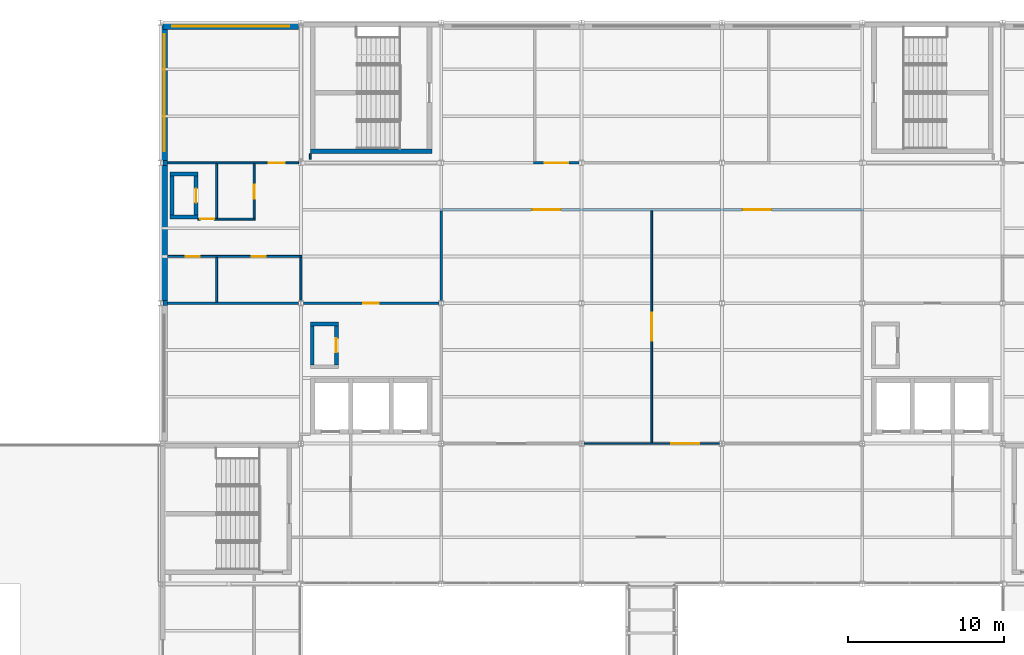
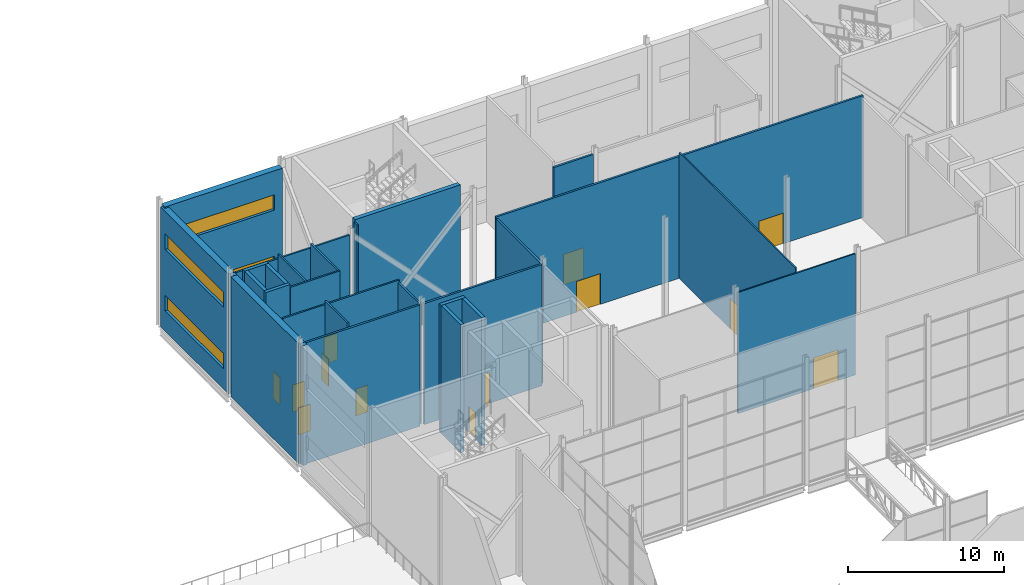
# One storey, part 90 of 111: 28 walls, 13 doors, 4 windows, 17 openings.
"""IFC4 building model written with IfcOpenShell, lengths in metres."""

from ifc_helpers import new_model, si_unit, direction, frame, frame_2d, origin, place, context, subcontext, project, spatial, rectangle, extrude, material, layer, layer_set, type_object, element, fill, save


model = new_model("IFC4")

# Units and contexts
model_context = context("Model", 3, precision=1e-05, world=origin(), true_north=direction((0.0, 1.0)))
body_context = subcontext(model_context, "Body", "Model", "MODEL_VIEW")
ifc_project = project(units=[si_unit("LENGTHUNIT", "METRE"), si_unit("AREAUNIT", "SQUARE_METRE"), si_unit("VOLUMEUNIT", "CUBIC_METRE"), si_unit("PLANEANGLEUNIT", "RADIAN"), si_unit("MASSUNIT", "GRAM", prefix="KILO")], contexts=[model_context])

# Site, building, storey
site_placement = place(None, origin())
site = spatial("IfcSite", under=ifc_project, at=site_placement, CompositionType="ELEMENT")
building_placement = place(site_placement, origin())
building = spatial("IfcBuilding", under=site, at=building_placement, Name="Shorebreak Coast Museum", CompositionType="ELEMENT")
storey_placement = place(building_placement, frame((0.0, 0.0, 16.0)))
storey = spatial("IfcBuildingStorey", under=building, at=storey_placement, Name="L03", CompositionType="ELEMENT", Elevation=16.0)

# Walls
ifc_material_1 = material(Name="Concrete N50 (50 MPa)", Category="concrete")
ifc_layer_1 = layer(ifc_material_1, 0.297607421875)
ifc_layer_set_1 = layer_set([ifc_layer_1], Name="Concrete N50 (50 MPa)")
wall_type_1 = type_object("IfcWallType", Name="Column closure panel 298", PredefinedType="SOLIDWALL", material=ifc_layer_set_1)
for number, where, z_axis, x_axis, name in (
    (1, (54.30126953125, 98.839111328125, 0.0), (0.0, 0.0, 1.0), (0.0, 1.0, 0.0), "Column closure panel L03 W 7M"),
    (2, (54.30126953125, 107.839111328125, 0.0), (0.0, 0.0, 1.0), (0.0, 1.0, 0.0), "Column closure panel L03 W 7N"),
):
    element("IfcWall", number, at=place(storey_placement, frame(where, z_axis=z_axis, x_axis=x_axis)), inside=storey, type_object=wall_type_1, Name=name, PredefinedType="SOLIDWALL", context=body_context, shape_type="SweptSolid", body=[
        extrude(rectangle(XDim=0.32177734375, YDim=0.297607421875, at=frame_2d((0.160888671875, 0.0))), origin(), (0.0, 0.0, 1.0), 9.37109375),
    ])
ifc_material_2 = material(Name="Concrete N50 (50 MPa)", Category="concrete")
ifc_layer_2 = layer(ifc_material_2, 0.449951171875)
ifc_layer_set_2 = layer_set([ifc_layer_2], Name="Concrete N50 (50 MPa)")
wall_type_2 = type_object("IfcWallType", Name="Deep-set precast panel 450", PredefinedType="SOLIDWALL", material=ifc_layer_set_2)
wall_1_placement = place(storey_placement, frame((54.22509765625, 99.160888671875, 0.0), z_axis=(0.0, 0.0, 1.0), x_axis=(0.0, 1.0, 0.0)))
element("IfcWall", 3, at=wall_1_placement, inside=storey, type_object=wall_type_2, Name="External wall L03 W 7M", PredefinedType="SOLIDWALL", context=body_context, shape_type="SweptSolid", body=[
    extrude(rectangle(XDim=8.67822265625, YDim=0.449951171875, at=frame_2d((4.339111328125, 0.0))), origin(), (0.0, 0.0, 1.0), 9.37109375),
])

# Wall, openings, windows
wall_2_placement = place(storey_placement, frame((54.155517578125, 116.77490234375, 0.0), z_axis=(0.0, 0.0, 1.0), x_axis=(1.0, 0.0, 0.0)))
wall_2 = element("IfcWall", 4, at=wall_2_placement, inside=storey, type_object=wall_type_2, Name="External wall L03 N 7P", PredefinedType="SOLIDWALL", context=body_context, shape_type="SweptSolid", body=[
    extrude(rectangle(XDim=8.677978515625, YDim=0.449951171875, at=frame_2d((4.3388671875, 0.0))), origin(), (0.0, 0.0, 1.0), 9.472900390625),
])
opening_1_placement = place(wall_2_placement, frame((0.594482421875, 0.0, 1.60009765625)))
opening_1 = element("IfcOpeningElement", 5, at=opening_1_placement, cuts=wall_2, Name="Opening WN3020", PredefinedType="OPENING", context=body_context, shape_type="SweptSolid", body=[
    extrude(rectangle(XDim=7.5, YDim=1.199951171875, at=frame_2d((3.75, 0.60009765625))), frame((0.0, 0.23486328125, 0.0), z_axis=(0.0, -1.0, 0.0), x_axis=(1.0, 0.0, 0.0)), (0.0, 0.0, 1.0), 0.469970703125),
])
opening_2_placement = place(wall_2_placement, frame((0.594482421875, 0.0, 6.39990234375)))
opening_2 = element("IfcOpeningElement", 6, at=opening_2_placement, cuts=wall_2, Name="Opening WN3021", PredefinedType="OPENING", context=body_context, shape_type="SweptSolid", body=[
    extrude(rectangle(XDim=7.5, YDim=1.199951171875, at=frame_2d((3.75, 0.60009765625))), frame((0.0, 0.23486328125, 0.0), z_axis=(0.0, -1.0, 0.0), x_axis=(1.0, 0.0, 0.0)), (0.0, 0.0, 1.0), 0.469970703125),
])
ifc_material_3 = material(Name="Aluminium", Category="aluminium")
window_type_1 = type_object("IfcWindowType", Name="Ribbon window 7500 x 1200", PartitioningType="SINGLE_PANEL", PredefinedType="WINDOW", material=ifc_material_3)
window_1_placement = place(opening_1_placement, origin())
window_1 = element("IfcWindow", 7, at=window_1_placement, inside=storey, type_object=window_type_1, Name="Window WN3020", OverallHeight=1.199951171875, OverallWidth=7.5, PartitioningType="SINGLE_PANEL", PredefinedType="WINDOW", context=body_context, shape_type="SweptSolid", body=[
    extrude(rectangle(XDim=7.5, YDim=1.199951171875, at=frame_2d((3.75, 0.60009765625))), frame((0.0, 0.030029296875, 0.0), z_axis=(0.0, -1.0, 0.0), x_axis=(1.0, 0.0, 0.0)), (0.0, 0.0, 1.0), 0.06005859375),
])
fill(opening_1, window_1)
ifc_material_4 = material(Name="Aluminium", Category="aluminium")
window_type_2 = type_object("IfcWindowType", Name="Upper ribbon window 7500 x 1200", PartitioningType="SINGLE_PANEL", PredefinedType="WINDOW", material=ifc_material_4)
window_2_placement = place(opening_2_placement, origin())
window_2 = element("IfcWindow", 8, at=window_2_placement, inside=storey, type_object=window_type_2, Name="Window WN3021", OverallHeight=1.199951171875, OverallWidth=7.5, PartitioningType="SINGLE_PANEL", PredefinedType="WINDOW", context=body_context, shape_type="SweptSolid", body=[
    extrude(rectangle(XDim=7.5, YDim=1.199951171875, at=frame_2d((3.75, 0.60009765625))), frame((0.0, 0.030029296875, 0.0), z_axis=(0.0, -1.0, 0.0), x_axis=(1.0, 0.0, 0.0)), (0.0, 0.0, 1.0), 0.06005859375),
])
fill(opening_2, window_2)

wall_3_placement = place(storey_placement, frame((54.22509765625, 108.160888671875, 0.0), z_axis=(0.0, 0.0, 1.0), x_axis=(0.0, 1.0, 0.0)))
wall_3 = element("IfcWall", 9, at=wall_3_placement, inside=storey, type_object=wall_type_2, Name="External wall L03 W 7N", PredefinedType="SOLIDWALL", context=body_context, shape_type="SweptSolid", body=[
    extrude(rectangle(XDim=8.675537109375, YDim=0.449951171875, at=frame_2d((4.337890625, 0.0))), origin(), (0.0, 0.0, 1.0), 9.37109375),
])
opening_3_placement = place(wall_3_placement, frame((0.589111328125, 0.0, 6.39990234375)))
opening_3 = element("IfcOpeningElement", 10, at=opening_3_placement, cuts=wall_3, Name="Opening WN3045", PredefinedType="OPENING", context=body_context, shape_type="SweptSolid", body=[
    extrude(rectangle(XDim=7.5, YDim=1.199951171875, at=frame_2d((3.75, 0.60009765625))), frame((0.0, 0.23486328125, 0.0), z_axis=(0.0, -1.0, 0.0), x_axis=(1.0, 0.0, 0.0)), (0.0, 0.0, 1.0), 0.469970703125),
])
opening_4_placement = place(wall_3_placement, frame((0.595947265625, 0.0, 1.60009765625)))
opening_4 = element("IfcOpeningElement", 11, at=opening_4_placement, cuts=wall_3, Name="Opening WN3044", PredefinedType="OPENING", context=body_context, shape_type="SweptSolid", body=[
    extrude(rectangle(XDim=7.5, YDim=1.199951171875, at=frame_2d((3.75, 0.60009765625))), frame((0.0, 0.23486328125, 0.0), z_axis=(0.0, -1.0, 0.0), x_axis=(1.0, 0.0, 0.0)), (0.0, 0.0, 1.0), 0.469970703125),
])
window_3_placement = place(opening_4_placement, origin())
window_3 = element("IfcWindow", 12, at=window_3_placement, inside=storey, type_object=window_type_1, Name="Window WN3044", OverallHeight=1.199951171875, OverallWidth=7.5, PartitioningType="SINGLE_PANEL", PredefinedType="WINDOW", context=body_context, shape_type="SweptSolid", body=[
    extrude(rectangle(XDim=7.5, YDim=1.199951171875, at=frame_2d((3.75, 0.60009765625))), frame((0.0, 0.030029296875, 0.0), z_axis=(0.0, -1.0, 0.0), x_axis=(1.0, 0.0, 0.0)), (0.0, 0.0, 1.0), 0.06005859375),
])
fill(opening_4, window_3)
window_4_placement = place(opening_3_placement, origin())
window_4 = element("IfcWindow", 13, at=window_4_placement, inside=storey, type_object=window_type_2, Name="Window WN3045", OverallHeight=1.199951171875, OverallWidth=7.5, PartitioningType="SINGLE_PANEL", PredefinedType="WINDOW", context=body_context, shape_type="SweptSolid", body=[
    extrude(rectangle(XDim=7.5, YDim=1.199951171875, at=frame_2d((3.75, 0.60009765625))), frame((0.0, 0.030029296875, 0.0), z_axis=(0.0, -1.0, 0.0), x_axis=(1.0, 0.0, 0.0)), (0.0, 0.0, 1.0), 0.06005859375),
])
fill(opening_3, window_4)

# Wall
ifc_material_5 = material(Name="Plasterboard on steel stud", Category="steel")
ifc_layer_3 = layer(ifc_material_5, 0.14990234375)
ifc_layer_set_3 = layer_set([ifc_layer_3], Name="Plasterboard on steel stud")
wall_type_3 = type_object("IfcWallType", Name="Fire partition 150", PredefinedType="PARTITIONING", material=ifc_layer_set_3)
wall_4_placement = place(storey_placement, frame((54.449951171875, 99.0, 0.0), z_axis=(0.0, 0.0, 1.0), x_axis=(1.0, 0.0, 0.0)))
element("IfcWall", 14, at=wall_4_placement, inside=storey, type_object=wall_type_3, Name="Partition L03-026", PredefinedType="PARTITIONING", context=body_context, shape_type="SweptSolid", body=[
    extrude(rectangle(XDim=8.3974609375, YDim=0.14990234375, at=frame_2d((4.19873046875, 0.0))), origin(), (0.0, 0.0, 1.0), 9.472900390625),
])

# Wall, opening, door
wall_5_placement = place(storey_placement, frame((63.152587890625, 99.0, 0.0), z_axis=(0.0, 0.0, 1.0), x_axis=(1.0, 0.0, 0.0)))
wall_5 = element("IfcWall", 15, at=wall_5_placement, inside=storey, type_object=wall_type_3, Name="Partition L03-027", PredefinedType="PARTITIONING", context=body_context, shape_type="SweptSolid", body=[
    extrude(rectangle(XDim=8.69482421875, YDim=0.14990234375, at=frame_2d((4.347412109375, 0.0))), origin(), (0.0, 0.0, 1.0), 9.472900390625),
])
opening_5_placement = place(wall_5_placement, frame((3.85009765625, 0.0, 0.0)))
opening_5 = element("IfcOpeningElement", 16, at=opening_5_placement, cuts=wall_5, Name="Opening D3007", PredefinedType="OPENING", context=body_context, shape_type="SweptSolid", body=[
    extrude(rectangle(XDim=1.0, YDim=2.39990234375, at=frame_2d((0.5, 1.199951171875))), frame((0.0, 0.0849609375, 0.0), z_axis=(0.0, -1.0, 0.0), x_axis=(1.0, 0.0, 0.0)), (0.0, 0.0, 1.0), 0.169921875),
])
ifc_material_6 = material(Name="Steel", Category="steel")
door_type_1 = type_object("IfcDoorType", Name="Fire door 1000x2400 60", OperationType="SINGLE_SWING_LEFT", PredefinedType="DOOR", material=ifc_material_6)
door_1_placement = place(opening_5_placement, origin())
door_1 = element("IfcDoor", 17, at=door_1_placement, inside=storey, type_object=door_type_1, Name="Door D3007 Lift Services Room W", OperationType="SINGLE_SWING_RIGHT", OverallHeight=2.39990234375, OverallWidth=1.0, PredefinedType="DOOR", context=body_context, shape_type="SweptSolid", body=[
    extrude(rectangle(XDim=1.0, YDim=2.39990234375, at=frame_2d((0.5, 1.199951171875))), frame((0.0, 0.02490234375, 0.0), z_axis=(0.0, -1.0, 0.0), x_axis=(1.0, 0.0, 0.0)), (0.0, 0.0, 1.0), 0.050048828125),
])
fill(opening_5, door_1)

# Wall, openings, doors
wall_6_placement = place(storey_placement, frame((71.925048828125, 105.0, 0.0), z_axis=(0.0, 0.0, 1.0), x_axis=(1.0, 0.0, 0.0)))
wall_6 = element("IfcWall", 18, at=wall_6_placement, inside=storey, type_object=wall_type_3, Name="Partition L03-034", PredefinedType="PARTITIONING", context=body_context, shape_type="SweptSolid", body=[
    extrude(rectangle(XDim=27.14990234375, YDim=0.14990234375, at=frame_2d((13.574951171875, 0.0))), origin(), (0.0, 0.0, 1.0), 9.52099609375),
])
opening_6_placement = place(wall_6_placement, frame((5.925048828125, 0.0, 0.0)))
opening_6 = element("IfcOpeningElement", 19, at=opening_6_placement, cuts=wall_6, Name="Opening D3019", PredefinedType="OPENING", context=body_context, shape_type="SweptSolid", body=[
    extrude(rectangle(XDim=1.800048828125, YDim=2.39990234375, at=frame_2d((0.89990234375, 1.199951171875))), frame((0.0, 0.0849609375, 0.0), z_axis=(0.0, -1.0, 0.0), x_axis=(1.0, 0.0, 0.0)), (0.0, 0.0, 1.0), 0.169921875),
])
opening_7_placement = place(wall_6_placement, frame((19.425048828125, 0.0, 0.0)))
opening_7 = element("IfcOpeningElement", 20, at=opening_7_placement, cuts=wall_6, Name="Opening D3020", PredefinedType="OPENING", context=body_context, shape_type="SweptSolid", body=[
    extrude(rectangle(XDim=1.800048828125, YDim=2.39990234375, at=frame_2d((0.89990234375, 1.199951171875))), frame((0.0, 0.0849609375, 0.0), z_axis=(0.0, -1.0, 0.0), x_axis=(1.0, 0.0, 0.0)), (0.0, 0.0, 1.0), 0.169921875),
])
ifc_material_7 = material(Name="Steel", Category="steel")
door_type_2 = type_object("IfcDoorType", Name="Fire door 1800x2400 60", OperationType="DOUBLE_DOOR_SINGLE_SWING", PredefinedType="DOOR", material=ifc_material_7)
door_2_placement = place(opening_6_placement, origin())
door_2 = element("IfcDoor", 21, at=door_2_placement, inside=storey, type_object=door_type_2, Name="Door D3019 Permanent Gallery 3.02", OperationType="DOUBLE_DOOR_SINGLE_SWING", OverallHeight=2.39990234375, OverallWidth=1.800048828125, PredefinedType="DOOR", context=body_context, shape_type="SweptSolid", body=[
    extrude(rectangle(XDim=1.800048828125, YDim=2.39990234375, at=frame_2d((0.89990234375, 1.199951171875))), frame((0.0, 0.02490234375, 0.0), z_axis=(0.0, -1.0, 0.0), x_axis=(1.0, 0.0, 0.0)), (0.0, 0.0, 1.0), 0.050048828125),
])
fill(opening_6, door_2)
door_3_placement = place(opening_7_placement, origin())
door_3 = element("IfcDoor", 22, at=door_3_placement, inside=storey, type_object=door_type_2, Name="Door D3020 Maritime Gallery", OperationType="DOUBLE_DOOR_SINGLE_SWING", OverallHeight=2.39990234375, OverallWidth=1.800048828125, PredefinedType="DOOR", context=body_context, shape_type="SweptSolid", body=[
    extrude(rectangle(XDim=1.800048828125, YDim=2.39990234375, at=frame_2d((0.89990234375, 1.199951171875))), frame((0.0, 0.02490234375, 0.0), z_axis=(0.0, -1.0, 0.0), x_axis=(1.0, 0.0, 0.0)), (0.0, 0.0, 1.0), 0.050048828125),
])
fill(opening_7, door_3)

# Wall, opening, door
wall_7_placement = place(storey_placement, frame((77.925048828125, 108.0, 0.0), z_axis=(0.0, 0.0, 1.0), x_axis=(1.0, 0.0, 0.0)))
wall_7 = element("IfcWall", 23, at=wall_7_placement, inside=storey, type_object=wall_type_3, Name="Partition L03-036", PredefinedType="PARTITIONING", context=body_context, shape_type="SweptSolid", body=[
    extrude(rectangle(XDim=2.92236328125, YDim=0.14990234375, at=frame_2d((1.461181640625, 0.0))), origin(), (0.0, 0.0, 1.0), 9.472900390625),
])
opening_8_placement = place(wall_7_placement, frame((0.72509765625, 0.0, 0.0)))
opening_8 = element("IfcOpeningElement", 24, at=opening_8_placement, cuts=wall_7, Name="Opening D3021", PredefinedType="OPENING", context=body_context, shape_type="SweptSolid", body=[
    extrude(rectangle(XDim=1.5, YDim=2.39990234375, at=frame_2d((0.75, 1.199951171875))), frame((0.0, 0.0849609375, 0.0), z_axis=(0.0, -1.0, 0.0), x_axis=(1.0, 0.0, 0.0)), (0.0, 0.0, 1.0), 0.169921875),
])
ifc_material_8 = material(Name="Steel", Category="steel")
door_type_3 = type_object("IfcDoorType", Name="Fire door 1500x2400 60", OperationType="DOUBLE_DOOR_SINGLE_SWING", PredefinedType="DOOR", material=ifc_material_8)
door_4_placement = place(opening_8_placement, origin())
door_4 = element("IfcDoor", 25, at=door_4_placement, inside=storey, type_object=door_type_3, Name="Door D3021 Temporary Gallery 3.02", OperationType="DOUBLE_DOOR_SINGLE_SWING", OverallHeight=2.39990234375, OverallWidth=1.5, PredefinedType="DOOR", context=body_context, shape_type="SweptSolid", body=[
    extrude(rectangle(XDim=1.5, YDim=2.39990234375, at=frame_2d((0.75, 1.199951171875))), frame((0.0, 0.02490234375, 0.0), z_axis=(0.0, -1.0, 0.0), x_axis=(1.0, 0.0, 0.0)), (0.0, 0.0, 1.0), 0.050048828125),
])
fill(opening_8, door_4)

# Wall
wall_8_placement = place(storey_placement, frame((72.0, 99.154052734375, 0.0), z_axis=(0.0, 0.0, 1.0), x_axis=(0.0, 1.0, 0.0)))
element("IfcWall", 26, at=wall_8_placement, inside=storey, type_object=wall_type_3, Name="Partition L03-055", PredefinedType="PARTITIONING", context=body_context, shape_type="SweptSolid", body=[
    extrude(rectangle(XDim=5.77099609375, YDim=0.14990234375, at=frame_2d((2.885498046875, 0.0))), origin(), (0.0, 0.0, 1.0), 9.37109375),
])

# Wall, opening, door
ifc_material_9 = material(Name="Plasterboard on steel stud", Category="steel")
ifc_layer_4 = layer(ifc_material_9, 0.10009765625)
ifc_layer_set_4 = layer_set([ifc_layer_4], Name="Plasterboard on steel stud")
wall_type_4 = type_object("IfcWallType", Name="Partition 100", PredefinedType="PARTITIONING", material=ifc_layer_set_4)
wall_9_placement = place(storey_placement, frame((81.155517578125, 90.0, 0.0), z_axis=(0.0, 0.0, 1.0), x_axis=(1.0, 0.0, 0.0)))
wall_9 = element("IfcWall", 27, at=wall_9_placement, inside=storey, type_object=wall_type_4, Name="Partition L03-020", PredefinedType="PARTITIONING", context=body_context, shape_type="SweptSolid", body=[
    extrude(rectangle(XDim=8.68896484375, YDim=0.10009765625, at=frame_2d((4.344482421875, 0.0))), origin(), (0.0, 0.0, 1.0), 9.472900390625),
])
opening_9_placement = place(wall_9_placement, frame((5.594482421875, 0.0, 0.0)))
opening_9 = element("IfcOpeningElement", 28, at=opening_9_placement, cuts=wall_9, Name="Opening D3032", PredefinedType="OPENING", context=body_context, shape_type="SweptSolid", body=[
    extrude(rectangle(XDim=1.800048828125, YDim=2.39990234375, at=frame_2d((0.89990234375, 1.199951171875))), frame((0.0, 0.06005859375, 0.0), z_axis=(0.0, -1.0, 0.0), x_axis=(1.0, 0.0, 0.0)), (0.0, 0.0, 1.0), 0.1201171875),
])
ifc_material_10 = material(Name="Timber", Category="wood")
door_type_4 = type_object("IfcDoorType", Name="Interior door 1800x2400", OperationType="DOUBLE_DOOR_SINGLE_SWING", PredefinedType="DOOR", material=ifc_material_10)
door_5_placement = place(opening_9_placement, origin())
door_5 = element("IfcDoor", 29, at=door_5_placement, inside=storey, type_object=door_type_4, Name="Door D3032 Permanent Gallery 3.01", OperationType="DOUBLE_DOOR_SINGLE_SWING", OverallHeight=2.39990234375, OverallWidth=1.800048828125, PredefinedType="DOOR", context=body_context, shape_type="SweptSolid", body=[
    extrude(rectangle(XDim=1.800048828125, YDim=2.39990234375, at=frame_2d((0.89990234375, 1.199951171875))), frame((0.0, 0.02490234375, 0.0), z_axis=(0.0, -1.0, 0.0), x_axis=(1.0, 0.0, 0.0)), (0.0, 0.0, 1.0), 0.050048828125),
])
fill(opening_9, door_5)

# Wall
wall_10_placement = place(storey_placement, frame((63.60009765625, 108.219970703125, 0.0), z_axis=(0.0, 0.0, 1.0), x_axis=(0.0, 1.0, 0.0)))
element("IfcWall", 30, at=wall_10_placement, inside=storey, type_object=wall_type_4, Name="Partition L03-050", PredefinedType="PARTITIONING", context=body_context, shape_type="SweptSolid", body=[
    extrude(rectangle(XDim=0.380126953125, YDim=0.10009765625, at=frame_2d((0.18994140625, 0.0))), origin(), (0.0, 0.0, 1.0), 9.824951171875),
])

# Wall, opening, door
wall_11_placement = place(storey_placement, frame((85.5, 90.050048828125, 0.0), z_axis=(0.0, 0.0, 1.0), x_axis=(0.0, 1.0, 0.0)))
wall_11 = element("IfcWall", 31, at=wall_11_placement, inside=storey, type_object=wall_type_4, Name="Partition L03-058", PredefinedType="PARTITIONING", context=body_context, shape_type="SweptSolid", body=[
    extrude(rectangle(XDim=14.875, YDim=0.10009765625, at=frame_2d((7.4375, 0.0))), origin(), (0.0, 0.0, 1.0), 9.824951171875),
])
opening_10_placement = place(wall_11_placement, frame((6.550048828125, 0.0, 0.0)))
opening_10 = element("IfcOpeningElement", 32, at=opening_10_placement, cuts=wall_11, Name="Opening D3033", PredefinedType="OPENING", context=body_context, shape_type="SweptSolid", body=[
    extrude(rectangle(XDim=1.800048828125, YDim=2.39990234375, at=frame_2d((0.89990234375, 1.199951171875))), frame((0.0, 0.06005859375, 0.0), z_axis=(0.0, -1.0, 0.0), x_axis=(1.0, 0.0, 0.0)), (0.0, 0.0, 1.0), 0.1201171875),
])
door_6_placement = place(opening_10_placement, origin())
door_6 = element("IfcDoor", 33, at=door_6_placement, inside=storey, type_object=door_type_4, Name="Door D3033 Permanent Gallery 3.02", OperationType="DOUBLE_DOOR_SINGLE_SWING", OverallHeight=2.39990234375, OverallWidth=1.800048828125, PredefinedType="DOOR", context=body_context, shape_type="SweptSolid", body=[
    extrude(rectangle(XDim=1.800048828125, YDim=2.39990234375, at=frame_2d((0.89990234375, 1.199951171875))), frame((0.0, 0.02490234375, 0.0), z_axis=(0.0, -1.0, 0.0), x_axis=(1.0, 0.0, 0.0)), (0.0, 0.0, 1.0), 0.050048828125),
])
fill(opening_10, door_6)

# Wall, openings, doors
ifc_material_11 = material(Name="Plasterboard on steel stud", Category="steel")
ifc_layer_5 = layer(ifc_material_11, 0.125)
ifc_layer_set_5 = layer_set([ifc_layer_5], Name="Plasterboard on steel stud")
wall_type_5 = type_object("IfcWallType", Name="Partition 125", PredefinedType="PARTITIONING", material=ifc_layer_set_5)
wall_12_placement = place(storey_placement, frame((54.449951171875, 102.0, 0.0), z_axis=(0.0, 0.0, 1.0), x_axis=(1.0, 0.0, 0.0)))
wall_12 = element("IfcWall", 34, at=wall_12_placement, inside=storey, type_object=wall_type_5, Name="Partition L03-030", PredefinedType="PARTITIONING", context=body_context, shape_type="SweptSolid", body=[
    extrude(rectangle(XDim=8.612548828125, YDim=0.125, at=frame_2d((4.30615234375, 0.0))), origin(), (0.0, 0.0, 1.0), 9.52099609375),
])
opening_11_placement = place(wall_12_placement, frame((1.14990234375, 0.0, 0.0)))
opening_11 = element("IfcOpeningElement", 35, at=opening_11_placement, cuts=wall_12, Name="Opening D3011", PredefinedType="OPENING", context=body_context, shape_type="SweptSolid", body=[
    extrude(rectangle(XDim=0.89990234375, YDim=2.10009765625, at=frame_2d((0.449951171875, 1.050048828125))), frame((0.0, 0.072509765625, 0.0), z_axis=(0.0, -1.0, 0.0), x_axis=(1.0, 0.0, 0.0)), (0.0, 0.0, 1.0), 0.14501953125),
])
opening_12_placement = place(wall_12_placement, frame((5.39990234375, 0.0, 0.0)))
opening_12 = element("IfcOpeningElement", 36, at=opening_12_placement, cuts=wall_12, Name="Opening D3012", PredefinedType="OPENING", context=body_context, shape_type="SweptSolid", body=[
    extrude(rectangle(XDim=0.89990234375, YDim=2.10009765625, at=frame_2d((0.449951171875, 1.050048828125))), frame((0.0, 0.072509765625, 0.0), z_axis=(0.0, -1.0, 0.0), x_axis=(1.0, 0.0, 0.0)), (0.0, 0.0, 1.0), 0.14501953125),
])
ifc_material_12 = material(Name="Timber", Category="wood")
door_type_5 = type_object("IfcDoorType", Name="Interior door 900x2100", OperationType="SINGLE_SWING_LEFT", PredefinedType="DOOR", material=ifc_material_12)
door_7_placement = place(opening_11_placement, origin())
door_7 = element("IfcDoor", 37, at=door_7_placement, inside=storey, type_object=door_type_5, Name="Door D3011 Accessible WC N1", OperationType="SINGLE_SWING_RIGHT", OverallHeight=2.10009765625, OverallWidth=0.89990234375, PredefinedType="DOOR", context=body_context, shape_type="SweptSolid", body=[
    extrude(rectangle(XDim=0.89990234375, YDim=2.10009765625, at=frame_2d((0.449951171875, 1.050048828125))), frame((0.0, 0.02490234375, 0.0), z_axis=(0.0, -1.0, 0.0), x_axis=(1.0, 0.0, 0.0)), (0.0, 0.0, 1.0), 0.050048828125),
])
fill(opening_11, door_7)
door_8_placement = place(opening_12_placement, origin())
door_8 = element("IfcDoor", 38, at=door_8_placement, inside=storey, type_object=door_type_5, Name="Door D3012 Male WC N1", OperationType="SINGLE_SWING_RIGHT", OverallHeight=2.10009765625, OverallWidth=0.89990234375, PredefinedType="DOOR", context=body_context, shape_type="SweptSolid", body=[
    extrude(rectangle(XDim=0.89990234375, YDim=2.10009765625, at=frame_2d((0.449951171875, 1.050048828125))), frame((0.0, 0.02490234375, 0.0), z_axis=(0.0, -1.0, 0.0), x_axis=(1.0, 0.0, 0.0)), (0.0, 0.0, 1.0), 0.050048828125),
])
fill(opening_12, door_8)

# Wall, opening, door
wall_13_placement = place(storey_placement, frame((56.39990234375, 104.39990234375, 0.0), z_axis=(0.0, 0.0, 1.0), x_axis=(1.0, 0.0, 0.0)))
wall_13 = element("IfcWall", 39, at=wall_13_placement, inside=storey, type_object=wall_type_5, Name="Partition L03-032", PredefinedType="PARTITIONING", context=body_context, shape_type="SweptSolid", body=[
    extrude(rectangle(XDim=3.66259765625, YDim=0.125, at=frame_2d((1.831298828125, 0.0))), origin(), (0.0, 0.0, 1.0), 9.824951171875),
])
opening_13_placement = place(wall_13_placement, frame((0.14990234375, 0.0, 0.0)))
opening_13 = element("IfcOpeningElement", 40, at=opening_13_placement, cuts=wall_13, Name="Opening D3009", PredefinedType="OPENING", context=body_context, shape_type="SweptSolid", body=[
    extrude(rectangle(XDim=0.89990234375, YDim=2.10009765625, at=frame_2d((0.449951171875, 1.050048828125))), frame((0.0, 0.072509765625, 0.0), z_axis=(0.0, -1.0, 0.0), x_axis=(1.0, 0.0, 0.0)), (0.0, 0.0, 1.0), 0.14501953125),
])
door_9_placement = place(opening_13_placement, origin())
door_9 = element("IfcDoor", 41, at=door_9_placement, inside=storey, type_object=door_type_5, Name="Door D3009 Cleaner Store N1", OperationType="SINGLE_SWING_LEFT", OverallHeight=2.10009765625, OverallWidth=0.89990234375, PredefinedType="DOOR", context=body_context, shape_type="SweptSolid", body=[
    extrude(rectangle(XDim=0.89990234375, YDim=2.10009765625, at=frame_2d((0.449951171875, 1.050048828125))), frame((0.0, 0.02490234375, 0.0), z_axis=(0.0, -1.0, 0.0), x_axis=(1.0, 0.0, 0.0)), (0.0, 0.0, 1.0), 0.050048828125),
])
fill(opening_13, door_9)

wall_14_placement = place(storey_placement, frame((54.449951171875, 108.0, 0.0), z_axis=(0.0, 0.0, 1.0), x_axis=(1.0, 0.0, 0.0)))
wall_14 = element("IfcWall", 42, at=wall_14_placement, inside=storey, type_object=wall_type_5, Name="Partition L03-035", PredefinedType="PARTITIONING", context=body_context, shape_type="SweptSolid", body=[
    extrude(rectangle(XDim=8.3974609375, YDim=0.125, at=frame_2d((4.19873046875, 0.0))), origin(), (0.0, 0.0, 1.0), 9.472900390625),
])
opening_14_placement = place(wall_14_placement, frame((6.5, 0.0, 0.0)))
opening_14 = element("IfcOpeningElement", 43, at=opening_14_placement, cuts=wall_14, Name="Opening D3017", PredefinedType="OPENING", context=body_context, shape_type="SweptSolid", body=[
    extrude(rectangle(XDim=1.0, YDim=2.10009765625, at=frame_2d((0.5, 1.050048828125))), frame((0.0, 0.072509765625, 0.0), z_axis=(0.0, -1.0, 0.0), x_axis=(1.0, 0.0, 0.0)), (0.0, 0.0, 1.0), 0.14501953125),
])
ifc_material_13 = material(Name="Timber", Category="wood")
door_type_6 = type_object("IfcDoorType", Name="Interior door 1000x2100", OperationType="SINGLE_SWING_LEFT", PredefinedType="DOOR", material=ifc_material_13)
door_10_placement = place(opening_14_placement, origin())
door_10 = element("IfcDoor", 44, at=door_10_placement, inside=storey, type_object=door_type_6, Name="Door D3017 Services Store 3.01", OperationType="SINGLE_SWING_LEFT", OverallHeight=2.10009765625, OverallWidth=1.0, PredefinedType="DOOR", context=body_context, shape_type="SweptSolid", body=[
    extrude(rectangle(XDim=1.0, YDim=2.10009765625, at=frame_2d((0.5, 1.050048828125))), frame((0.0, 0.02490234375, 0.0), z_axis=(0.0, -1.0, 0.0), x_axis=(1.0, 0.0, 0.0)), (0.0, 0.0, 1.0), 0.050048828125),
])
fill(opening_14, door_10)

# Walls
wall_15_placement = place(storey_placement, frame((57.60009765625, 99.074951171875, 0.0), z_axis=(0.0, 0.0, 1.0), x_axis=(0.0, 1.0, 0.0)))
element("IfcWall", 45, at=wall_15_placement, inside=storey, type_object=wall_type_5, Name="Partition L03-042", PredefinedType="PARTITIONING", context=body_context, shape_type="SweptSolid", body=[
    extrude(rectangle(XDim=2.862548828125, YDim=0.125, at=frame_2d((1.43115234375, 0.0))), origin(), (0.0, 0.0, 1.0), 9.824951171875),
])
wall_16_placement = place(storey_placement, frame((57.60009765625, 104.46240234375, 0.0), z_axis=(0.0, 0.0, 1.0), x_axis=(0.0, 1.0, 0.0)))
element("IfcWall", 46, at=wall_16_placement, inside=storey, type_object=wall_type_5, Name="Partition L03-043", PredefinedType="PARTITIONING", context=body_context, shape_type="SweptSolid", body=[
    extrude(rectangle(XDim=3.47509765625, YDim=0.125, at=frame_2d((1.737548828125, 0.0))), origin(), (0.0, 0.0, 1.0), 9.824951171875),
])

# Wall, opening, door
wall_17_placement = place(storey_placement, frame((60.0, 104.46240234375, 0.0), z_axis=(0.0, 0.0, 1.0), x_axis=(0.0, 1.0, 0.0)))
wall_17 = element("IfcWall", 47, at=wall_17_placement, inside=storey, type_object=wall_type_5, Name="Partition L03-047", PredefinedType="PARTITIONING", context=body_context, shape_type="SweptSolid", body=[
    extrude(rectangle(XDim=3.47509765625, YDim=0.125, at=frame_2d((1.737548828125, 0.0))), origin(), (0.0, 0.0, 1.0), 9.824951171875),
])
opening_15_placement = place(wall_17_placement, frame((1.25, 0.0, 0.0)))
opening_15 = element("IfcOpeningElement", 48, at=opening_15_placement, cuts=wall_17, Name="Opening D3010", PredefinedType="OPENING", context=body_context, shape_type="SweptSolid", body=[
    extrude(rectangle(XDim=0.89990234375, YDim=2.10009765625, at=frame_2d((0.449951171875, 1.050048828125))), frame((0.0, 0.072509765625, 0.0), z_axis=(0.0, -1.0, 0.0), x_axis=(1.0, 0.0, 0.0)), (0.0, 0.0, 1.0), 0.14501953125),
])
door_11_placement = place(opening_15_placement, origin())
door_11 = element("IfcDoor", 49, at=door_11_placement, inside=storey, type_object=door_type_5, Name="Door D3010 Female WC N1", OperationType="SINGLE_SWING_RIGHT", OverallHeight=2.10009765625, OverallWidth=0.89990234375, PredefinedType="DOOR", context=body_context, shape_type="SweptSolid", body=[
    extrude(rectangle(XDim=0.89990234375, YDim=2.10009765625, at=frame_2d((0.449951171875, 1.050048828125))), frame((0.0, 0.02490234375, 0.0), z_axis=(0.0, -1.0, 0.0), x_axis=(1.0, 0.0, 0.0)), (0.0, 0.0, 1.0), 0.050048828125),
])
fill(opening_15, door_11)

# Walls
wall_18_placement = place(storey_placement, frame((63.0, 99.154052734375, 0.0), z_axis=(0.0, 0.0, 1.0), x_axis=(0.0, 1.0, 0.0)))
element("IfcWall", 50, at=wall_18_placement, inside=storey, type_object=wall_type_5, Name="Partition L03-049", PredefinedType="PARTITIONING", context=body_context, shape_type="SweptSolid", body=[
    extrude(rectangle(XDim=2.783447265625, YDim=0.125, at=frame_2d((1.3916015625, 0.0))), origin(), (0.0, 0.0, 1.0), 9.37109375),
])
ifc_material_14 = material(Name="Concrete N50 (50 MPa)", Category="concrete")
ifc_layer_6 = layer(ifc_material_14, 0.25)
ifc_layer_set_6 = layer_set([ifc_layer_6], Name="Concrete N50 (50 MPa)")
wall_type_6 = type_object("IfcWallType", Name="RC riser wall 250", PredefinedType="STANDARD", material=ifc_layer_set_6)
for number, where, z_axis, x_axis, name in (
    (51, (54.60009765625, 104.52490234375, 0.0), (0.0, 0.0, 1.0), (1.0, 0.0, 0.0), "Riser wall R-WC-N1 L03 S"),
    (52, (54.60009765625, 107.27490234375, 0.0), (0.0, 0.0, 1.0), (1.0, 0.0, 0.0), "Riser wall R-WC-N1 L03 N"),
):
    element("IfcWall", number, at=place(storey_placement, frame(where, z_axis=z_axis, x_axis=x_axis)), inside=storey, type_object=wall_type_6, Name=name, PredefinedType="STANDARD", context=body_context, shape_type="SweptSolid", body=[
        extrude(rectangle(XDim=1.7998046875, YDim=0.25, at=frame_2d((0.89990234375, 0.0))), origin(), (0.0, 0.0, 1.0), 10.0),
    ])
wall_19_placement = place(storey_placement, frame((54.72509765625, 104.64990234375, 0.0), z_axis=(0.0, 0.0, 1.0), x_axis=(0.0, 1.0, 0.0)))
element("IfcWall", 53, at=wall_19_placement, inside=storey, type_object=wall_type_6, Name="Riser wall R-WC-N1 L03 W", PredefinedType="STANDARD", context=body_context, shape_type="SweptSolid", body=[
    extrude(rectangle(XDim=2.5, YDim=0.25, at=frame_2d((1.25, 0.0))), origin(), (0.0, 0.0, 1.0), 10.0),
])

# Wall, opening, door
wall_20_placement = place(storey_placement, frame((56.27490234375, 104.64990234375, 0.0), z_axis=(0.0, 0.0, 1.0), x_axis=(0.0, 1.0, 0.0)))
wall_20 = element("IfcWall", 54, at=wall_20_placement, inside=storey, type_object=wall_type_6, Name="Riser wall R-WC-N1 L03 E", PredefinedType="STANDARD", context=body_context, shape_type="SweptSolid", body=[
    extrude(rectangle(XDim=2.5, YDim=0.25, at=frame_2d((1.25, 0.0))), origin(), (0.0, 0.0, 1.0), 10.0),
])
opening_16_placement = place(wall_20_placement, frame((0.800048828125, 0.0, 0.0)))
opening_16 = element("IfcOpeningElement", 55, at=opening_16_placement, cuts=wall_20, Name="Opening D3601", PredefinedType="OPENING", context=body_context, shape_type="SweptSolid", body=[
    extrude(rectangle(XDim=0.89990234375, YDim=2.10009765625, at=frame_2d((0.449951171875, 1.050048828125))), frame((0.0, 0.135009765625, 0.0), z_axis=(0.0, -1.0, 0.0), x_axis=(1.0, 0.0, 0.0)), (0.0, 0.0, 1.0), 0.27001953125),
])
ifc_material_15 = material(Name="Steel Grade 300", Category="steel")
door_type_7 = type_object("IfcDoorType", Name="Riser door 900x2100", OperationType="SINGLE_SWING_LEFT", PredefinedType="DOOR", material=ifc_material_15)
door_12_placement = place(opening_16_placement, origin())
door_12 = element("IfcDoor", 56, at=door_12_placement, inside=storey, type_object=door_type_7, Name="Riser door R-WC-N1 L03", OperationType="SINGLE_SWING_RIGHT", OverallHeight=2.10009765625, OverallWidth=0.89990234375, PredefinedType="DOOR", context=body_context, shape_type="SweptSolid", body=[
    extrude(rectangle(XDim=0.89990234375, YDim=2.10009765625, at=frame_2d((0.449951171875, 1.050048828125))), frame((0.0, 0.02490234375, 0.0), z_axis=(0.0, -1.0, 0.0), x_axis=(1.0, 0.0, 0.0)), (0.0, 0.0, 1.0), 0.050048828125),
])
fill(opening_16, door_12)

# Walls
wall_21_placement = place(storey_placement, frame((63.60009765625, 97.675048828125, 0.0), z_axis=(0.0, 0.0, 1.0), x_axis=(1.0, 0.0, 0.0)))
element("IfcWall", 57, at=wall_21_placement, inside=storey, type_object=wall_type_6, Name="Riser wall R-LBW L03 N", PredefinedType="STANDARD", context=body_context, shape_type="SweptSolid", body=[
    extrude(rectangle(XDim=1.7998046875, YDim=0.25, at=frame_2d((0.89990234375, 0.0))), origin(), (0.0, 0.0, 1.0), 10.0),
])
wall_22_placement = place(storey_placement, frame((63.72509765625, 95.050048828125, 0.0), z_axis=(0.0, 0.0, 1.0), x_axis=(0.0, 1.0, 0.0)))
element("IfcWall", 58, at=wall_22_placement, inside=storey, type_object=wall_type_6, Name="Riser wall R-LBW L03 W", PredefinedType="STANDARD", context=body_context, shape_type="SweptSolid", body=[
    extrude(rectangle(XDim=2.5, YDim=0.25, at=frame_2d((1.25, 0.0))), origin(), (0.0, 0.0, 1.0), 10.0),
])

# Wall, opening, door
wall_23_placement = place(storey_placement, frame((65.27490234375, 95.050048828125, 0.0), z_axis=(0.0, 0.0, 1.0), x_axis=(0.0, 1.0, 0.0)))
wall_23 = element("IfcWall", 59, at=wall_23_placement, inside=storey, type_object=wall_type_6, Name="Riser wall R-LBW L03 E", PredefinedType="STANDARD", context=body_context, shape_type="SweptSolid", body=[
    extrude(rectangle(XDim=2.5, YDim=0.25, at=frame_2d((1.25, 0.0))), origin(), (0.0, 0.0, 1.0), 10.0),
])
opening_17_placement = place(wall_23_placement, frame((0.800048828125, 0.0, 0.0)))
opening_17 = element("IfcOpeningElement", 60, at=opening_17_placement, cuts=wall_23, Name="Opening D3606", PredefinedType="OPENING", context=body_context, shape_type="SweptSolid", body=[
    extrude(rectangle(XDim=0.89990234375, YDim=2.10009765625, at=frame_2d((0.449951171875, 1.050048828125))), frame((0.0, 0.135009765625, 0.0), z_axis=(0.0, -1.0, 0.0), x_axis=(1.0, 0.0, 0.0)), (0.0, 0.0, 1.0), 0.27001953125),
])
door_13_placement = place(opening_17_placement, origin())
door_13 = element("IfcDoor", 61, at=door_13_placement, inside=storey, type_object=door_type_7, Name="Riser door R-LBW L03", OperationType="SINGLE_SWING_RIGHT", OverallHeight=2.10009765625, OverallWidth=0.89990234375, PredefinedType="DOOR", context=body_context, shape_type="SweptSolid", body=[
    extrude(rectangle(XDim=0.89990234375, YDim=2.10009765625, at=frame_2d((0.449951171875, 1.050048828125))), frame((0.0, 0.02490234375, 0.0), z_axis=(0.0, -1.0, 0.0), x_axis=(1.0, 0.0, 0.0)), (0.0, 0.0, 1.0), 0.050048828125),
])
fill(opening_17, door_13)

# Wall
ifc_material_16 = material(Name="Concrete N50 (50 MPa)", Category="concrete")
ifc_layer_7 = layer(ifc_material_16, 0.300048828125)
ifc_layer_set_7 = layer_set([ifc_layer_7], Name="Concrete N50 (50 MPa)")
wall_type_7 = type_object("IfcWallType", Name="RC wall 300", PredefinedType="SHEAR", material=ifc_layer_set_7)
wall_24_placement = place(storey_placement, frame((63.60009765625, 108.75, 0.0), z_axis=(0.0, 0.0, 1.0), x_axis=(1.0, 0.0, 0.0)))
element("IfcWall", 62, at=wall_24_placement, inside=storey, type_object=wall_type_7, Name="Stair core wall ST09 L03 S", PredefinedType="SHEAR", context=body_context, shape_type="SweptSolid", body=[
    extrude(rectangle(XDim=7.7998046875, YDim=0.300048828125, at=frame_2d((3.89990234375, 0.0))), origin(), (0.0, 0.0, 1.0), 10.0),
])

save(model, "model.ifc")
